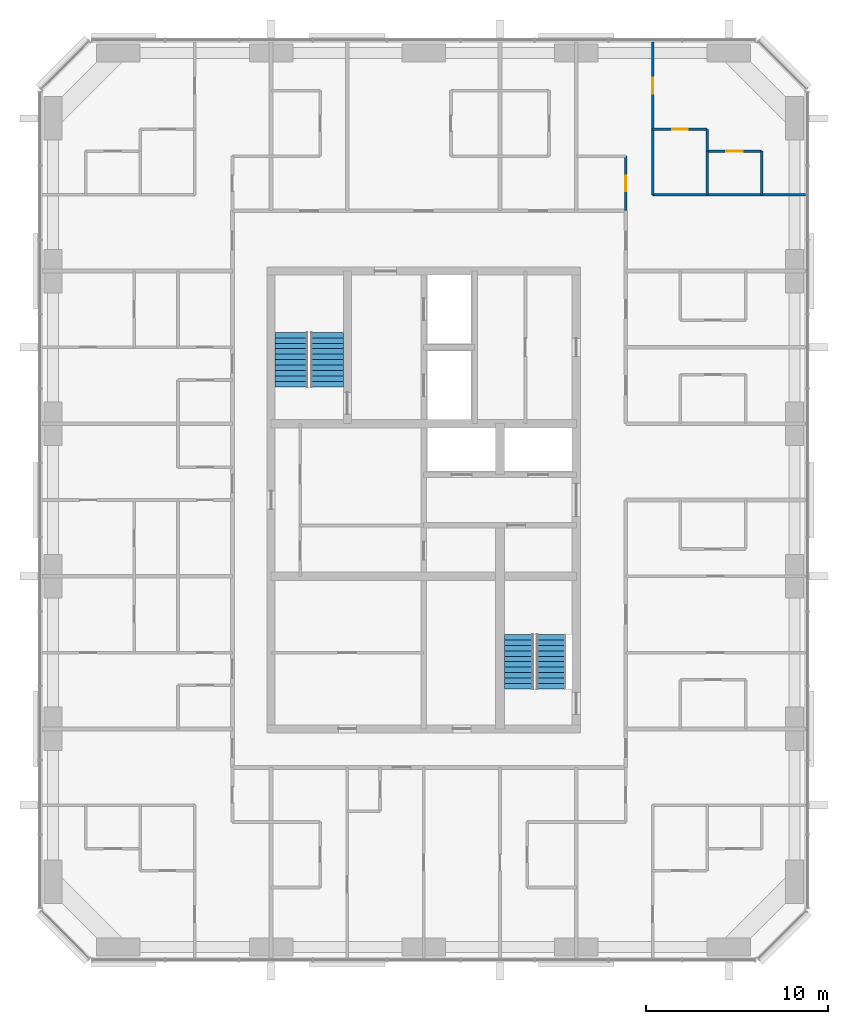
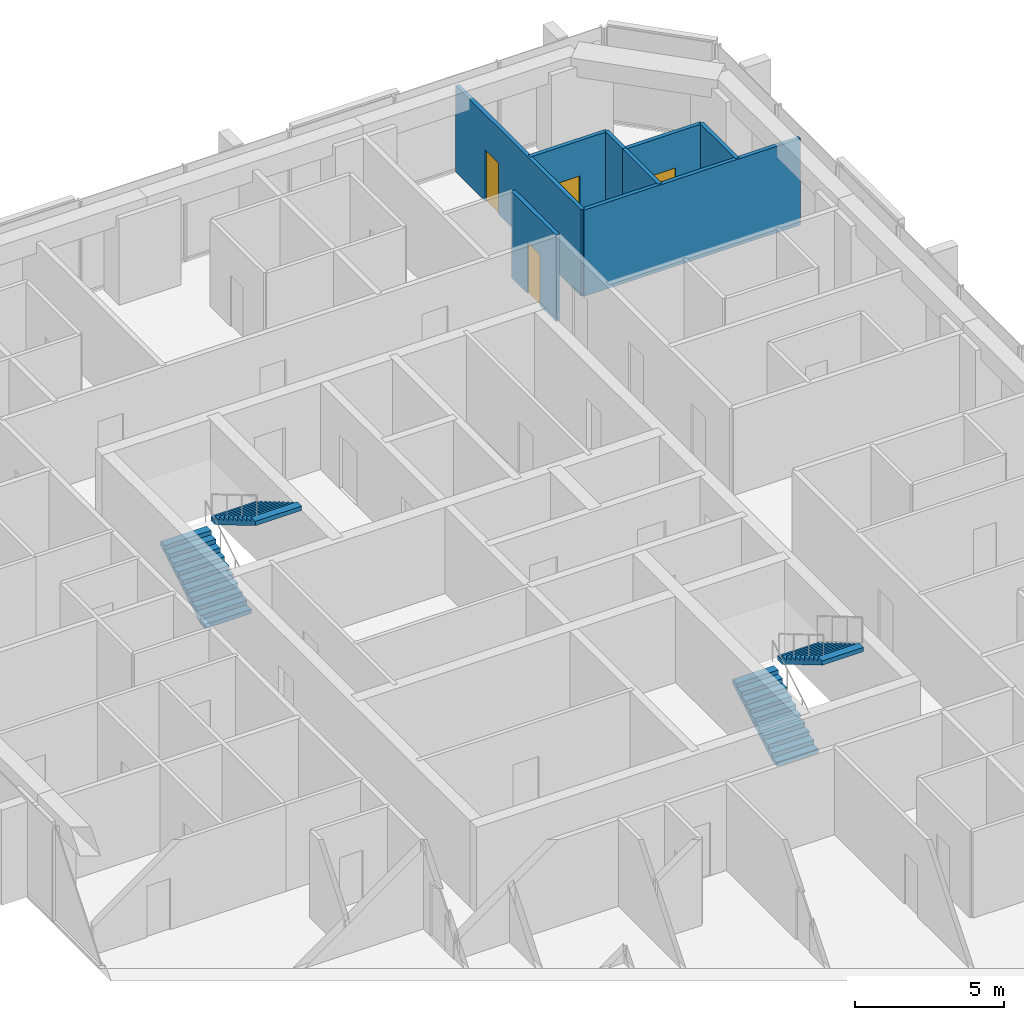
# One storey, part 11 of 12: 8 walls, 4 doors, 4 stair flights, 4 openings, 2 elements without a shape of their own.
"""IFC4 building model written with IfcOpenShell, lengths in metres."""

from ifc_helpers import new_model, si_unit, direction, frame, frame_2d, origin, place, context, subcontext, project, spatial, polyline, rectangle, outline, extrude, material, layer, layer_set, type_object, element, fill, aggregate, save


model = new_model("IFC4")

# Units and contexts
model_context = context("Model", 3, precision=1e-05, world=origin(), true_north=direction((0.0, 1.0)))
body_context = subcontext(model_context, "Body", "Model", "MODEL_VIEW")
ifc_project = project(units=[si_unit("LENGTHUNIT", "METRE"), si_unit("AREAUNIT", "SQUARE_METRE"), si_unit("VOLUMEUNIT", "CUBIC_METRE"), si_unit("PLANEANGLEUNIT", "RADIAN"), si_unit("MASSUNIT", "GRAM", prefix="KILO")], contexts=[model_context])

# Site, building, storey
site_placement = place(None, origin())
site = spatial("IfcSite", under=ifc_project, at=site_placement, CompositionType="ELEMENT")
building_placement = place(site_placement, origin())
building = spatial("IfcBuilding", under=site, at=building_placement, Name="Dunama Terrace Hotel", CompositionType="ELEMENT")
storey_placement = place(building_placement, frame((0.0, 0.0, 252.89990234375)))
storey = spatial("IfcBuildingStorey", under=building, at=storey_placement, Name="L65", CompositionType="ELEMENT", Elevation=252.89990234375)

# Wall, opening, door
ifc_material_1 = material(Name="Gypsum board partition", Category="masonry")
ifc_layer_1 = layer(ifc_material_1, 0.14990234375)
ifc_layer_set_1 = layer_set([ifc_layer_1], Name="Bathroom partition 150")
wall_type_1 = type_object("IfcWallType", Name="Bathroom partition 150", PredefinedType="PARTITIONING", material=ifc_layer_set_1)
wall_1_placement = place(storey_placement, frame((44.72509765625, 45.324951171875, 0.0), z_axis=(0.0, 0.0, 1.0), x_axis=(0.0, 1.0, 0.0)))
wall_1 = element("IfcWall", 1, at=wall_1_placement, inside=storey, type_object=wall_type_1, Name="Bathroom partition 150 L65", PredefinedType="PARTITIONING", context=body_context, shape_type="SweptSolid", body=[
    extrude(rectangle(XDim=3.0, YDim=0.14990234375, at=frame_2d((1.5, 0.0))), origin(), (0.0, 0.0, 1.0), 3.550048828125),
])
opening_1_placement = place(wall_1_placement, frame((1.074951171875, 0.0, 0.0)))
opening_1 = element("IfcOpeningElement", 2, at=opening_1_placement, cuts=wall_1, Name="Opening L65-67-055", PredefinedType="OPENING", context=body_context, shape_type="SweptSolid", body=[
    extrude(rectangle(XDim=0.85009765625, YDim=2.10009765625, at=frame_2d((0.425048828125, 1.050048828125))), frame((0.0, 0.0849609375, 0.0), z_axis=(0.0, -1.0, 0.0), x_axis=(1.0, 0.0, 0.0)), (0.0, 0.0, 1.0), 0.169921875),
])
ifc_material_2 = material(Name="Timber door with steel frame", Category="steel")
door_type_1 = type_object("IfcDoorType", Name="Bathroom door 850", OperationType="SINGLE_SWING_LEFT", PredefinedType="DOOR", material=ifc_material_2)
door_1_placement = place(opening_1_placement, origin())
door_1 = element("IfcDoor", 3, at=door_1_placement, inside=storey, type_object=door_type_1, Name="Door to powder room L65-67-055, type D2", OperationType="SINGLE_SWING_LEFT", OverallHeight=2.10009765625, OverallWidth=0.85009765625, PredefinedType="DOOR", context=body_context, shape_type="SweptSolid", body=[
    extrude(rectangle(XDim=0.85009765625, YDim=2.10009765625, at=frame_2d((0.425048828125, 1.050048828125))), frame((0.0, 0.02490234375, 0.0), z_axis=(0.0, -1.0, 0.0), x_axis=(1.0, 0.0, 0.0)), (0.0, 0.0, 1.0), 0.050048828125),
])
fill(opening_1, door_1)

# Wall
wall_2_placement = place(storey_placement, frame((49.199951171875, 48.60009765625, 0.0), z_axis=(0.0, 0.0, 1.0), x_axis=(0.0, 1.0, 0.0)))
element("IfcWall", 4, at=wall_2_placement, inside=storey, type_object=wall_type_1, Name="Bathroom partition 150 L65", PredefinedType="PARTITIONING", context=body_context, shape_type="SweptSolid", body=[
    extrude(rectangle(XDim=1.199951171875, YDim=0.14990234375, at=frame_2d((0.60009765625, 0.0))), origin(), (0.0, 0.0, 1.0), 3.550048828125),
])

# Wall, opening, door
wall_3_placement = place(storey_placement, frame((46.199951171875, 49.800048828125, 0.0), z_axis=(0.0, 0.0, 1.0), x_axis=(1.0, 0.0, 0.0)))
wall_3 = element("IfcWall", 5, at=wall_3_placement, inside=storey, type_object=wall_type_1, Name="Bathroom partition 150 L65", PredefinedType="PARTITIONING", context=body_context, shape_type="SweptSolid", body=[
    extrude(rectangle(XDim=3.0, YDim=0.14990234375, at=frame_2d((1.5, 0.0))), origin(), (0.0, 0.0, 1.0), 3.550048828125),
])
opening_2_placement = place(wall_3_placement, frame((1.074951171875, 0.0, 0.0)))
opening_2 = element("IfcOpeningElement", 6, at=opening_2_placement, cuts=wall_3, Name="Opening L65-67-057", PredefinedType="OPENING", context=body_context, shape_type="SweptSolid", body=[
    extrude(rectangle(XDim=0.85009765625, YDim=2.10009765625, at=frame_2d((0.425048828125, 1.050048828125))), frame((0.0, 0.0849609375, 0.0), z_axis=(0.0, -1.0, 0.0), x_axis=(1.0, 0.0, 0.0)), (0.0, 0.0, 1.0), 0.169921875),
])
door_2_placement = place(opening_2_placement, frame((0.85009765625, 0.0, 0.0), z_axis=(0.0, 0.0, 1.0), x_axis=(-1.0, 0.0, 0.0)))
door_2 = element("IfcDoor", 7, at=door_2_placement, inside=storey, type_object=door_type_1, Name="Door to en-suite bathroom L65-67-057, type D2", OperationType="SINGLE_SWING_LEFT", OverallHeight=2.10009765625, OverallWidth=0.85009765625, PredefinedType="DOOR", context=body_context, shape_type="SweptSolid", body=[
    extrude(rectangle(XDim=0.85009765625, YDim=2.10009765625, at=frame_2d((0.425048828125, 1.050048828125))), frame((0.0, 0.025146484375, 0.0), z_axis=(0.0, -1.0, 0.0), x_axis=(1.0, 0.0, 0.0)), (0.0, 0.0, 1.0), 0.050048828125),
])
fill(opening_2, door_2)

ifc_material_3 = material(Name="Gypsum board partition", Category="masonry")
ifc_layer_2 = layer(ifc_material_3, 0.14990234375)
ifc_layer_set_2 = layer_set([ifc_layer_2], Name="Room partition 150")
wall_type_2 = type_object("IfcWallType", Name="Room partition 150", PredefinedType="PARTITIONING", material=ifc_layer_set_2)
wall_4_placement = place(storey_placement, frame((46.199951171875, 46.199951171875, 0.0), z_axis=(0.0, 0.0, 1.0), x_axis=(0.0, 1.0, 0.0)))
wall_4 = element("IfcWall", 8, at=wall_4_placement, inside=storey, type_object=wall_type_2, Name="Room partition 150 L65", PredefinedType="PARTITIONING", context=body_context, shape_type="SweptSolid", body=[
    extrude(rectangle(XDim=8.41796875, YDim=0.14990234375, at=frame_2d((4.208984375, 0.0))), origin(), (0.0, 0.0, 1.0), 3.550048828125),
])
opening_3_placement = place(wall_4_placement, frame((5.550048828125, 0.0, 0.0)))
opening_3 = element("IfcOpeningElement", 9, at=opening_3_placement, cuts=wall_4, Name="Opening L65-67-056", PredefinedType="OPENING", context=body_context, shape_type="SweptSolid", body=[
    extrude(rectangle(XDim=0.89990234375, YDim=2.10009765625, at=frame_2d((0.449951171875, 1.050048828125))), frame((0.0, 0.0849609375, 0.0), z_axis=(0.0, -1.0, 0.0), x_axis=(1.0, 0.0, 0.0)), (0.0, 0.0, 1.0), 0.169921875),
])
ifc_material_4 = material(Name="Timber door with steel frame", Category="steel")
door_type_2 = type_object("IfcDoorType", Name="Suite internal door 900", OperationType="SINGLE_SWING_LEFT", PredefinedType="DOOR", material=ifc_material_4)
door_3_placement = place(opening_3_placement, frame((0.89990234375, 0.0, 0.0), z_axis=(0.0, 0.0, 1.0), x_axis=(-1.0, 0.0, 0.0)))
door_3 = element("IfcDoor", 10, at=door_3_placement, inside=storey, type_object=door_type_2, Name="Door to grand corner suite bedroom L65-67-056, type D16", OperationType="SINGLE_SWING_RIGHT", OverallHeight=2.10009765625, OverallWidth=0.89990234375, PredefinedType="DOOR", context=body_context, shape_type="SweptSolid", body=[
    extrude(rectangle(XDim=0.89990234375, YDim=2.10009765625, at=frame_2d((0.449951171875, 1.050048828125))), frame((0.0, 0.025146484375, 0.0), z_axis=(0.0, -1.0, 0.0), x_axis=(1.0, 0.0, 0.0)), (0.0, 0.0, 1.0), 0.050048828125),
])
fill(opening_3, door_3)

# Walls
for number, where, z_axis, x_axis, name in (
    (11, (49.199951171875, 46.199951171875, 0.0), (0.0, 0.0, 1.0), (0.0, 1.0, 0.0), "Room partition 150 L65"),
    (12, (52.199951171875, 46.199951171875, 0.0), (0.0, 0.0, 1.0), (0.0, 1.0, 0.0), "Room partition 150 L65"),
):
    element("IfcWall", number, at=place(storey_placement, frame(where, z_axis=z_axis, x_axis=x_axis)), inside=storey, type_object=wall_type_2, Name=name, PredefinedType="PARTITIONING", context=body_context, shape_type="SweptSolid", body=[
        extrude(rectangle(XDim=2.400146484375, YDim=0.14990234375, at=frame_2d((1.2001953125, 0.0))), origin(), (0.0, 0.0, 1.0), 3.550048828125),
    ])
wall_5_placement = place(storey_placement, frame((46.199951171875, 46.199951171875, 0.0), z_axis=(0.0, 0.0, 1.0), x_axis=(1.0, 0.0, 0.0)))
element("IfcWall", 13, at=wall_5_placement, inside=storey, type_object=wall_type_2, Name="Room partition 150 L65", PredefinedType="PARTITIONING", context=body_context, shape_type="SweptSolid", body=[
    extrude(rectangle(XDim=8.41796875, YDim=0.14990234375, at=frame_2d((4.208984375, 0.0))), origin(), (0.0, 0.0, 1.0), 3.550048828125),
])

# Wall, opening, door
wall_6_placement = place(storey_placement, frame((49.199951171875, 48.60009765625, 0.0), z_axis=(0.0, 0.0, 1.0), x_axis=(1.0, 0.0, 0.0)))
wall_6 = element("IfcWall", 14, at=wall_6_placement, inside=storey, type_object=wall_type_2, Name="Room partition 150 L65", PredefinedType="PARTITIONING", context=body_context, shape_type="SweptSolid", body=[
    extrude(rectangle(XDim=3.0, YDim=0.14990234375, at=frame_2d((1.5, 0.0))), origin(), (0.0, 0.0, 1.0), 3.550048828125),
])
opening_4_placement = place(wall_6_placement, frame((1.050048828125, 0.0, 0.0)))
opening_4 = element("IfcOpeningElement", 15, at=opening_4_placement, cuts=wall_6, Name="Opening L65-67-058", PredefinedType="OPENING", context=body_context, shape_type="SweptSolid", body=[
    extrude(rectangle(XDim=0.89990234375, YDim=2.10009765625, at=frame_2d((0.449951171875, 1.050048828125))), frame((0.0, 0.0849609375, 0.0), z_axis=(0.0, -1.0, 0.0), x_axis=(1.0, 0.0, 0.0)), (0.0, 0.0, 1.0), 0.169921875),
])
door_4_placement = place(opening_4_placement, frame((0.89990234375, 0.0, 0.0), z_axis=(0.0, 0.0, 1.0), x_axis=(-1.0, 0.0, 0.0)))
door_4 = element("IfcDoor", 16, at=door_4_placement, inside=storey, type_object=door_type_2, Name="Door to dressing room L65-67-058, type D16", OperationType="SINGLE_SWING_RIGHT", OverallHeight=2.10009765625, OverallWidth=0.89990234375, PredefinedType="DOOR", context=body_context, shape_type="SweptSolid", body=[
    extrude(rectangle(XDim=0.89990234375, YDim=2.10009765625, at=frame_2d((0.449951171875, 1.050048828125))), frame((0.0, 0.025146484375, 0.0), z_axis=(0.0, -1.0, 0.0), x_axis=(1.0, 0.0, 0.0)), (0.0, 0.0, 1.0), 0.050048828125),
])
fill(opening_4, door_4)

# Stair, stair flights
ifc_material_5 = material(Name="Concrete C40/50", Category="concrete")
stair_type_1 = type_object("IfcStairType", Name="Stair ST1-3900-1800", PredefinedType="HALF_TURN_STAIR", material=ifc_material_5)
stair_1_placement = place(storey_placement, origin())
stair_1 = element("IfcStair", 17, at=stair_1_placement, inside=storey, type_object=stair_type_1, Name="Stair ST1 L65", PredefinedType="HALF_TURN_STAIR")
ifc_material_6 = material(Name="Concrete C40/50", Category="concrete")
stair_flight_type_1 = type_object("IfcStairFlightType", Name="Stair flight ST1-3900-1800", PredefinedType="STRAIGHT", material=ifc_material_6)
stair_flight_1_placement = place(storey_placement, frame((26.324951171875, 35.625, 0.0), z_axis=(0.0, 0.0, 1.0), x_axis=(0.0, 1.0, 0.0)))
stair_flight_1 = element("IfcStairFlight", 18, at=stair_flight_1_placement, type_object=stair_flight_type_1, Name="ST1 flight 1", NumberOfRisers=11, NumberOfTreads=10, PredefinedType="STRAIGHT", RiserHeight=0.177272727, TreadLength=0.3, context=body_context, shape_type="SweptSolid", body=[
    extrude(outline(polyline([(0.0, 0.0), (0.0, 0.17724609375), (0.300048828125, 0.17724609375), (0.300048828125, 0.3544921875), (0.60009765625, 0.3544921875), (0.60009765625, 0.53173828125), (0.89990234375, 0.53173828125), (0.89990234375, 0.708984375), (1.199951171875, 0.708984375), (1.199951171875, 0.886474609375), (1.5, 0.886474609375), (1.5, 1.063720703125), (1.800048828125, 1.063720703125), (1.800048828125, 1.240966796875), (2.10009765625, 1.240966796875), (2.10009765625, 1.418212890625), (2.39990234375, 1.418212890625), (2.39990234375, 1.595458984375), (2.699951171875, 1.595458984375), (2.699951171875, 1.772705078125), (3.0, 1.772705078125), (3.0, 1.949951171875), (3.0, 1.5986328125), (0.294677734375, 0.0), (0.0, 0.0)])), frame((0.0, 0.89990234375, 0.0), z_axis=(0.0, -1.0, 0.0), x_axis=(1.0, 0.0, 0.0)), (0.0, 0.0, 1.0), 1.800048828125),
])
stair_flight_2_placement = place(storey_placement, frame((28.27490234375, 38.625, 1.9501953125), z_axis=(0.0, 0.0, 1.0), x_axis=(0.0, -1.0, 0.0)))
stair_flight_2 = element("IfcStairFlight", 19, at=stair_flight_2_placement, type_object=stair_flight_type_1, Name="ST1 flight 2", NumberOfRisers=11, NumberOfTreads=10, PredefinedType="STRAIGHT", RiserHeight=0.177272727, TreadLength=0.3, context=body_context, shape_type="SweptSolid", body=[
    extrude(outline(polyline([(0.0, 0.0), (0.0, 0.17724609375), (0.300048828125, 0.17724609375), (0.300048828125, 0.3544921875), (0.60009765625, 0.3544921875), (0.60009765625, 0.53173828125), (0.89990234375, 0.53173828125), (0.89990234375, 0.708984375), (1.199951171875, 0.708984375), (1.199951171875, 0.886474609375), (1.5, 0.886474609375), (1.5, 1.063720703125), (1.800048828125, 1.063720703125), (1.800048828125, 1.240966796875), (2.10009765625, 1.240966796875), (2.10009765625, 1.418212890625), (2.39990234375, 1.418212890625), (2.39990234375, 1.595458984375), (2.699951171875, 1.595458984375), (2.699951171875, 1.772705078125), (3.0, 1.772705078125), (3.0, 1.949951171875), (3.0, 1.5986328125), (0.294677734375, 0.0), (0.0, 0.0)])), frame((0.0, 0.89990234375, 0.0), z_axis=(0.0, -1.0, 0.0), x_axis=(1.0, 0.0, 0.0)), (0.0, 0.0, 1.0), 1.800048828125),
])
aggregate(stair_1, [stair_flight_1, stair_flight_2])

ifc_material_7 = material(Name="Concrete C40/50", Category="concrete")
stair_type_2 = type_object("IfcStairType", Name="Stair ST2-3900-1600", PredefinedType="HALF_TURN_STAIR", material=ifc_material_7)
stair_2_placement = place(storey_placement, origin())
stair_2 = element("IfcStair", 20, at=stair_2_placement, inside=storey, type_object=stair_type_2, Name="Stair ST2 L65", PredefinedType="HALF_TURN_STAIR")
ifc_material_8 = material(Name="Concrete C40/50", Category="concrete")
stair_flight_type_2 = type_object("IfcStairFlightType", Name="Stair flight ST2-3900-1600", PredefinedType="STRAIGHT", material=ifc_material_8)
stair_flight_3_placement = place(storey_placement, frame((38.85009765625, 19.0, 0.0), z_axis=(0.0, 0.0, 1.0), x_axis=(0.0, 1.0, 0.0)))
stair_flight_3 = element("IfcStairFlight", 21, at=stair_flight_3_placement, type_object=stair_flight_type_2, Name="ST2 flight 1", NumberOfRisers=11, NumberOfTreads=10, PredefinedType="STRAIGHT", RiserHeight=0.177272727, TreadLength=0.3, context=body_context, shape_type="SweptSolid", body=[
    extrude(outline(polyline([(0.0, 0.0), (0.0, 0.17724609375), (0.300048828125, 0.17724609375), (0.300048828125, 0.3544921875), (0.60009765625, 0.3544921875), (0.60009765625, 0.53173828125), (0.89990234375, 0.53173828125), (0.89990234375, 0.708984375), (1.199951171875, 0.708984375), (1.199951171875, 0.886474609375), (1.5, 0.886474609375), (1.5, 1.063720703125), (1.800048828125, 1.063720703125), (1.800048828125, 1.240966796875), (2.10009765625, 1.240966796875), (2.10009765625, 1.418212890625), (2.39990234375, 1.418212890625), (2.39990234375, 1.595458984375), (2.699951171875, 1.595458984375), (2.699951171875, 1.772705078125), (3.0, 1.772705078125), (3.0, 1.949951171875), (3.0, 1.5986328125), (0.294677734375, 0.0), (0.0, 0.0)])), frame((0.0, 0.800048828125, 0.0), z_axis=(0.0, -1.0, 0.0), x_axis=(1.0, 0.0, 0.0)), (0.0, 0.0, 1.0), 1.60009765625),
])
stair_flight_4_placement = place(storey_placement, frame((40.60009765625, 22.0, 1.9501953125), z_axis=(0.0, 0.0, 1.0), x_axis=(0.0, -1.0, 0.0)))
stair_flight_4 = element("IfcStairFlight", 22, at=stair_flight_4_placement, type_object=stair_flight_type_2, Name="ST2 flight 2", NumberOfRisers=11, NumberOfTreads=10, PredefinedType="STRAIGHT", RiserHeight=0.177272727, TreadLength=0.3, context=body_context, shape_type="SweptSolid", body=[
    extrude(outline(polyline([(0.0, 0.0), (0.0, 0.17724609375), (0.300048828125, 0.17724609375), (0.300048828125, 0.3544921875), (0.60009765625, 0.3544921875), (0.60009765625, 0.53173828125), (0.89990234375, 0.53173828125), (0.89990234375, 0.708984375), (1.199951171875, 0.708984375), (1.199951171875, 0.886474609375), (1.5, 0.886474609375), (1.5, 1.063720703125), (1.800048828125, 1.063720703125), (1.800048828125, 1.240966796875), (2.10009765625, 1.240966796875), (2.10009765625, 1.418212890625), (2.39990234375, 1.418212890625), (2.39990234375, 1.595458984375), (2.699951171875, 1.595458984375), (2.699951171875, 1.772705078125), (3.0, 1.772705078125), (3.0, 1.949951171875), (3.0, 1.5986328125), (0.294677734375, 0.0), (0.0, 0.0)])), frame((0.0, 0.800048828125, 0.0), z_axis=(0.0, -1.0, 0.0), x_axis=(1.0, 0.0, 0.0)), (0.0, 0.0, 1.0), 1.60009765625),
])
aggregate(stair_2, [stair_flight_3, stair_flight_4])

save(model, "model.ifc")
